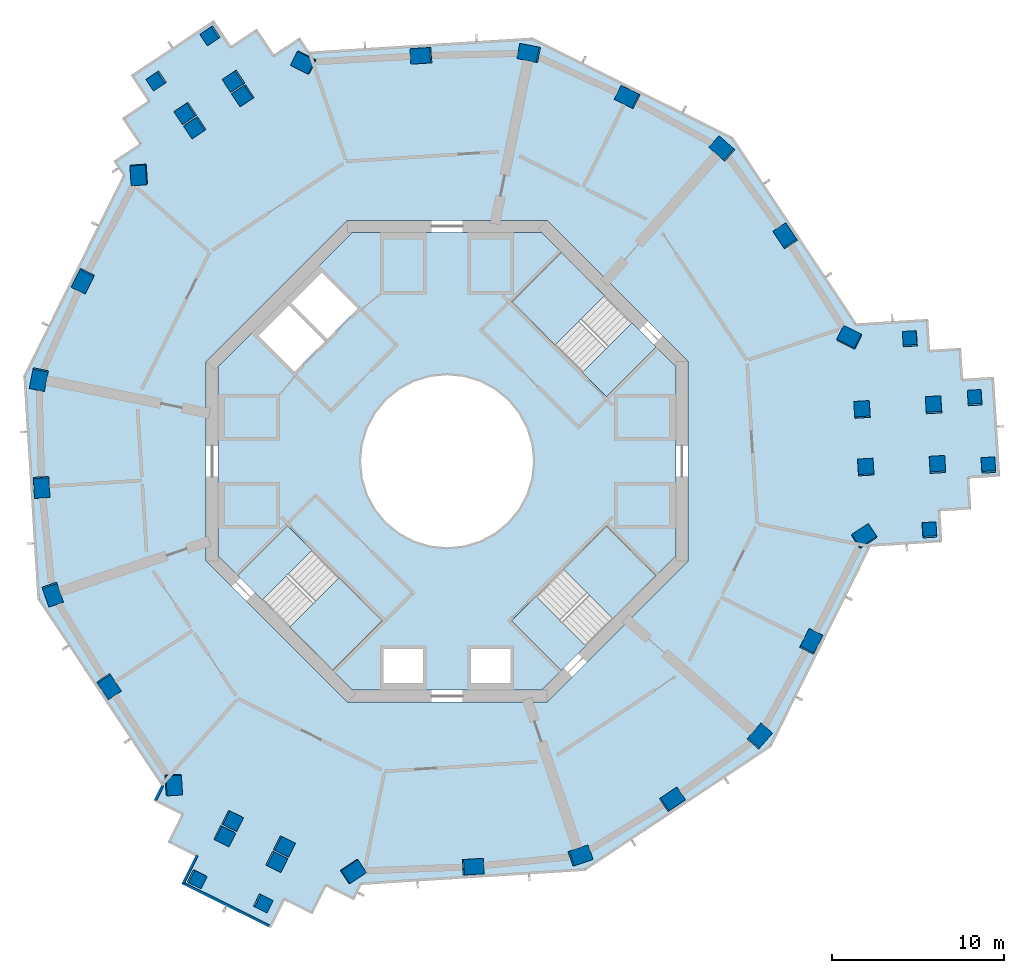
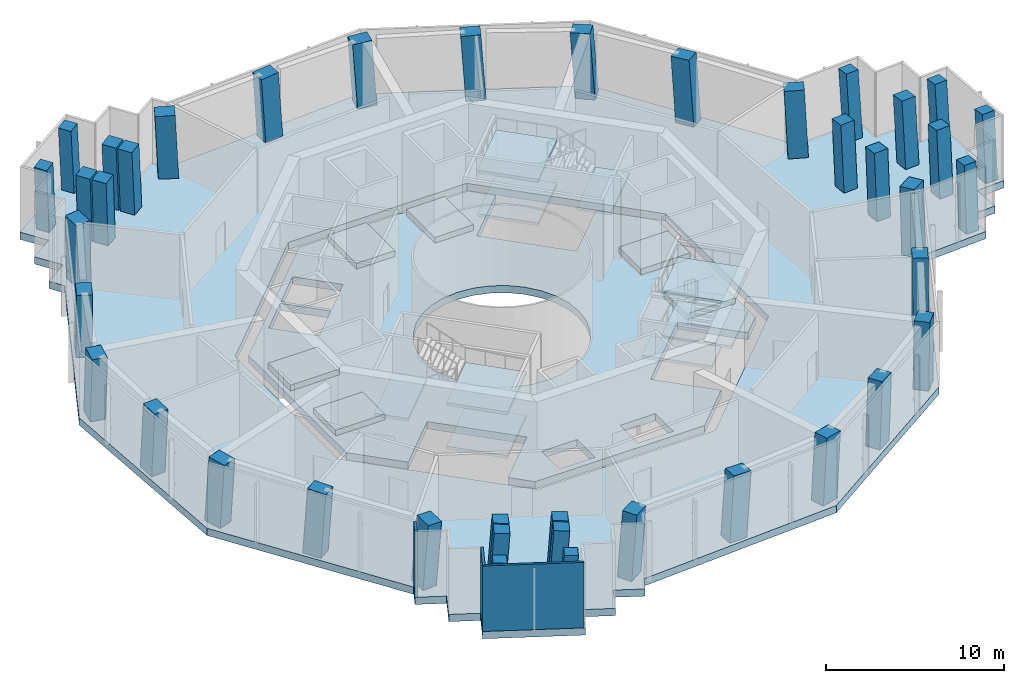
# One storey, part 1 of 16: 41 columns, 17 slabs, 3 walls, 3 elements without a shape of their own.
"""IFC4 building model written with IfcOpenShell, lengths in metres."""

from ifc_helpers import new_model, si_unit, direction, frame, frame_2d, origin, origin_2d, place, context, subcontext, project, spatial, polyline, rectangle, outline, extrude, material, layer, layer_set, material_profile, profile_set, type_object, element, aggregate, save


model = new_model("IFC4")

# Units and contexts
model_context = context("Model", 3, precision=1e-05, world=origin(), true_north=direction((0.0, 1.0)))
body_context = subcontext(model_context, "Body", "Model", "MODEL_VIEW")
ifc_project = project(units=[si_unit("LENGTHUNIT", "METRE"), si_unit("AREAUNIT", "SQUARE_METRE"), si_unit("VOLUMEUNIT", "CUBIC_METRE"), si_unit("PLANEANGLEUNIT", "RADIAN"), si_unit("MASSUNIT", "GRAM", prefix="KILO")], contexts=[model_context])

# Site, building, storey
site_placement = place(None, origin())
site = spatial("IfcSite", under=ifc_project, at=site_placement, CompositionType="ELEMENT")
building_placement = place(site_placement, origin())
building = spatial("IfcBuilding", under=site, at=building_placement, Name="Verdalira Terraces Hotel", CompositionType="ELEMENT")
storey_placement = place(building_placement, frame((0.0, 0.0, 169.0)))
storey = spatial("IfcBuildingStorey", under=building, at=storey_placement, Name="L41", CompositionType="ELEMENT", Elevation=169.0)

# Columns
ifc_material_1 = material(Name="Concrete C60", Category="concrete")
ifc_material_profile_1 = material_profile(ifc_material_1, rectangle(XDim=1.149902, YDim=0.899902, at=origin_2d()), Name="RC 1150X900")
ifc_profile_set_1 = profile_set([ifc_material_profile_1], Name="Concrete C60")
column_type_1 = type_object("IfcColumnType", Name="Column RC 1150X900 C60", PredefinedType="COLUMN", material=ifc_profile_set_1)
column_1_placement = place(storey_placement, frame((-17.893311, 16.667725, 0.0), z_axis=(-0.046008343, -0.050230285, 0.997677378), x_axis=(-0.065051688, 0.99676572, 0.047184497)))
element("IfcColumn", 1, at=column_1_placement, inside=storey, type_object=column_type_1, Name="Column C01", PredefinedType="COLUMN", context=body_context, shape_type="SweptSolid", body=[
    extrude(rectangle(XDim=1.149902, YDim=0.899902, at=origin_2d()), origin(), (0.0, 0.0, 1.0), 4.510498),
])
column_2_placement = place(storey_placement, frame((-21.14624, 10.49707, 0.0), z_axis=(-0.028746192, -0.059170598, 0.997833902), x_axis=(-0.443569154, -0.893822805, -0.065781442)))
element("IfcColumn", 2, at=column_2_placement, inside=storey, type_object=column_type_1, Name="Column C02", PredefinedType="COLUMN", context=body_context, shape_type="SweptSolid", body=[
    extrude(rectangle(XDim=1.149902, YDim=0.899902, at=origin_2d()), origin(), (0.0, 0.0, 1.0), 4.509766),
])
column_3_placement = place(storey_placement, frame((-23.715332, 4.781982, 0.0), z_axis=(-0.012774685, -0.066201014, 0.997724528), x_axis=(0.197279464, 0.978026261, 0.067419926)))
element("IfcColumn", 3, at=column_3_placement, inside=storey, type_object=column_type_1, Name="Column C03", PredefinedType="COLUMN", context=body_context, shape_type="SweptSolid", body=[
    extrude(rectangle(XDim=1.149902, YDim=0.899902, at=origin_2d()), origin(), (0.0, 0.0, 1.0), 4.510254),
])
column_4_placement = place(storey_placement, frame((-23.561768, -1.482422, 0.0), z_axis=(0.004709829, -0.065612785, 0.997834044), x_axis=(0.063066969, -0.995839165, -0.065779291)))
element("IfcColumn", 4, at=column_4_placement, inside=storey, type_object=column_type_1, Name="Column C04", PredefinedType="COLUMN", context=body_context, shape_type="SweptSolid", body=[
    extrude(rectangle(XDim=1.149902, YDim=0.899902, at=origin_2d()), origin(), (0.0, 0.0, 1.0), 4.509766),
])
column_5_placement = place(storey_placement, frame((-22.929199, -7.716553, 0.0), z_axis=(0.022085036, -0.063710999, 0.99772399), x_axis=(-0.318833594, 0.945409234, 0.067427885)))
element("IfcColumn", 5, at=column_5_placement, inside=storey, type_object=column_type_1, Name="Column C05", PredefinedType="COLUMN", context=body_context, shape_type="SweptSolid", body=[
    extrude(rectangle(XDim=1.149902, YDim=0.899902, at=origin_2d()), origin(), (0.0, 0.0, 1.0), 4.510254),
])
column_6_placement = place(storey_placement, frame((-19.663818, -13.064697, 0.0), z_axis=(0.036866629, -0.054460835, 0.997835091), x_axis=(0.552389916, -0.830987698, -0.065763409)))
element("IfcColumn", 6, at=column_6_placement, inside=storey, type_object=column_type_1, Name="Column C06", PredefinedType="COLUMN", context=body_context, shape_type="SweptSolid", body=[
    extrude(rectangle(XDim=1.149902, YDim=0.899902, at=origin_2d()), origin(), (0.0, 0.0, 1.0), 4.509766),
])
column_7_placement = place(storey_placement, frame((-15.916748, -18.794922, 0.0), z_axis=(0.052718394, -0.043895911, 0.997644185), x_axis=(-0.060335894, 0.997068223, 0.047058892)))
element("IfcColumn", 7, at=column_7_placement, inside=storey, type_object=column_type_1, Name="Column C07", PredefinedType="COLUMN", context=body_context, shape_type="SweptSolid", body=[
    extrude(rectangle(XDim=1.149902, YDim=0.899902, at=origin_2d()), origin(), (0.0, 0.0, 1.0), 4.510742),
])
column_8_placement = place(storey_placement, frame((-5.488037, -23.829834, 0.0), z_axis=(0.066522525, -0.014776769, 0.997675499), x_axis=(-0.831043752, -0.554200421, 0.047203562)))
element("IfcColumn", 8, at=column_8_placement, inside=storey, type_object=column_type_1, Name="Column C10", PredefinedType="COLUMN", context=body_context, shape_type="SweptSolid", body=[
    extrude(rectangle(XDim=1.149902, YDim=0.899902, at=origin_2d()), origin(), (0.0, 0.0, 1.0), 4.510498),
])
column_9_placement = place(storey_placement, frame((1.482422, -23.561768, 0.0), z_axis=(0.065612785, 0.004709829, 0.997834044), x_axis=(0.995839165, 0.063066969, -0.065779291)))
element("IfcColumn", 9, at=column_9_placement, inside=storey, type_object=column_type_1, Name="Column C11", PredefinedType="COLUMN", context=body_context, shape_type="SweptSolid", body=[
    extrude(rectangle(XDim=1.149902, YDim=0.899902, at=origin_2d()), origin(), (0.0, 0.0, 1.0), 4.509766),
])
column_10_placement = place(storey_placement, frame((7.716553, -22.929199, 0.0), z_axis=(0.063710999, 0.022085036, 0.99772399), x_axis=(-0.945409234, -0.318833594, 0.067427885)))
element("IfcColumn", 10, at=column_10_placement, inside=storey, type_object=column_type_1, Name="Column C12", PredefinedType="COLUMN", context=body_context, shape_type="SweptSolid", body=[
    extrude(rectangle(XDim=1.149902, YDim=0.899902, at=origin_2d()), origin(), (0.0, 0.0, 1.0), 4.510254),
])
column_11_placement = place(storey_placement, frame((13.064697, -19.663818, 0.0), z_axis=(0.054460835, 0.036866629, 0.997835091), x_axis=(0.830987698, 0.552389916, -0.065763409)))
element("IfcColumn", 11, at=column_11_placement, inside=storey, type_object=column_type_1, Name="Column C13", PredefinedType="COLUMN", context=body_context, shape_type="SweptSolid", body=[
    extrude(rectangle(XDim=1.149902, YDim=0.899902, at=origin_2d()), origin(), (0.0, 0.0, 1.0), 4.509766),
])
column_12_placement = place(storey_placement, frame((18.147217, -15.998779, 0.0), z_axis=(0.044116199, 0.050882487, 0.99772979), x_axis=(-0.659917477, -0.748314089, 0.067342013)))
element("IfcColumn", 12, at=column_12_placement, inside=storey, type_object=column_type_1, Name="Column C14", PredefinedType="COLUMN", context=body_context, shape_type="SweptSolid", body=[
    extrude(rectangle(XDim=1.149902, YDim=0.899902, at=origin_2d()), origin(), (0.0, 0.0, 1.0), 4.510254),
])
column_13_placement = place(storey_placement, frame((21.14624, -10.49707, 0.0), z_axis=(0.028746192, 0.059170598, 0.997833902), x_axis=(0.443569154, 0.893822805, -0.065781442)))
element("IfcColumn", 13, at=column_13_placement, inside=storey, type_object=column_type_1, Name="Column C15", PredefinedType="COLUMN", context=body_context, shape_type="SweptSolid", body=[
    extrude(rectangle(XDim=1.149902, YDim=0.899902, at=origin_2d()), origin(), (0.0, 0.0, 1.0), 4.509766),
])
column_14_placement = place(storey_placement, frame((24.235107, -4.386963, 0.0), z_axis=(0.011691096, 0.067656803, 0.997640153), x_axis=(-0.833524383, -0.550471415, 0.047099096)))
element("IfcColumn", 14, at=column_14_placement, inside=storey, type_object=column_type_1, Name="Column C16", PredefinedType="COLUMN", context=body_context, shape_type="SweptSolid", body=[
    extrude(rectangle(XDim=1.149902, YDim=0.899902, at=origin_2d()), origin(), (0.0, 0.0, 1.0), 4.510742),
])
column_15_placement = place(storey_placement, frame((23.381348, 7.162354, 0.0), z_axis=(-0.020514309, 0.064952958, 0.997677441), x_axis=(0.895873129, -0.441797488, 0.04718386)))
element("IfcColumn", 15, at=column_15_placement, inside=storey, type_object=column_type_1, Name="Column C21", PredefinedType="COLUMN", context=body_context, shape_type="SweptSolid", body=[
    extrude(rectangle(XDim=1.149902, YDim=0.899902, at=origin_2d()), origin(), (0.0, 0.0, 1.0), 4.510498),
])
column_16_placement = place(storey_placement, frame((19.663818, 13.064697, 0.0), z_axis=(-0.036866629, 0.054460835, 0.997835091), x_axis=(-0.552389916, 0.830987698, -0.065763409)))
element("IfcColumn", 16, at=column_16_placement, inside=storey, type_object=column_type_1, Name="Column C22", PredefinedType="COLUMN", context=body_context, shape_type="SweptSolid", body=[
    extrude(rectangle(XDim=1.149902, YDim=0.899902, at=origin_2d()), origin(), (0.0, 0.0, 1.0), 4.509766),
])
column_17_placement = place(storey_placement, frame((15.998779, 18.147217, 0.0), z_axis=(-0.050882487, 0.044116199, 0.99772979), x_axis=(0.748314089, -0.659917477, 0.067342013)))
element("IfcColumn", 17, at=column_17_placement, inside=storey, type_object=column_type_1, Name="Column C23", PredefinedType="COLUMN", context=body_context, shape_type="SweptSolid", body=[
    extrude(rectangle(XDim=1.149902, YDim=0.899902, at=origin_2d()), origin(), (0.0, 0.0, 1.0), 4.510254),
])
column_18_placement = place(storey_placement, frame((10.49707, 21.14624, 0.0), z_axis=(-0.059170598, 0.028746192, 0.997833902), x_axis=(-0.893822805, 0.443569154, -0.065781442)))
element("IfcColumn", 18, at=column_18_placement, inside=storey, type_object=column_type_1, Name="Column C24", PredefinedType="COLUMN", context=body_context, shape_type="SweptSolid", body=[
    extrude(rectangle(XDim=1.149902, YDim=0.899902, at=origin_2d()), origin(), (0.0, 0.0, 1.0), 4.509766),
])
column_19_placement = place(storey_placement, frame((4.781982, 23.715332, 0.0), z_axis=(-0.066201014, 0.012774685, 0.997724528), x_axis=(0.978026261, -0.197279464, 0.067419926)))
element("IfcColumn", 19, at=column_19_placement, inside=storey, type_object=column_type_1, Name="Column C25", PredefinedType="COLUMN", context=body_context, shape_type="SweptSolid", body=[
    extrude(rectangle(XDim=1.149902, YDim=0.899902, at=origin_2d()), origin(), (0.0, 0.0, 1.0), 4.510254),
])
column_20_placement = place(storey_placement, frame((-1.482422, 23.561768, 0.0), z_axis=(-0.065612785, -0.004709829, 0.997834044), x_axis=(-0.995839165, -0.063066969, -0.065779291)))
element("IfcColumn", 20, at=column_20_placement, inside=storey, type_object=column_type_1, Name="Column C26", PredefinedType="COLUMN", context=body_context, shape_type="SweptSolid", body=[
    extrude(rectangle(XDim=1.149902, YDim=0.899902, at=origin_2d()), origin(), (0.0, 0.0, 1.0), 4.509766),
])
column_21_placement = place(storey_placement, frame((-8.318359, 23.181885, 0.0), z_axis=(-0.064409308, -0.023761081, 0.997640643), x_axis=(0.893899773, -0.445786193, 0.047094216)))
element("IfcColumn", 21, at=column_21_placement, inside=storey, type_object=column_type_1, Name="Column C27", PredefinedType="COLUMN", context=body_context, shape_type="SweptSolid", body=[
    extrude(rectangle(XDim=1.149902, YDim=0.899902, at=origin_2d()), origin(), (0.0, 0.0, 1.0), 4.510742),
])
ifc_material_2 = material(Name="Concrete C60", Category="concrete")
ifc_material_profile_2 = material_profile(ifc_material_2, rectangle(XDim=0.800049, YDim=0.800049, at=origin_2d()), Name="RC 800X800")
ifc_profile_set_2 = profile_set([ifc_material_profile_2], Name="Concrete C60")
column_type_2 = type_object("IfcColumnType", Name="Column RC 800X800 C60", PredefinedType="COLUMN", material=ifc_profile_set_2)
column_22_placement = place(storey_placement, frame((-14.557861, -24.266113, 0.0), z_axis=(0.06793038, -0.039968592, 0.996889149), x_axis=(0.893204778, -0.442724347, -0.07861537)))
element("IfcColumn", 22, at=column_22_placement, inside=storey, type_object=column_type_2, Name="Column C08", PredefinedType="COLUMN", context=body_context, shape_type="SweptSolid", body=[
    extrude(rectangle(XDim=0.800049, YDim=0.800049, at=origin_2d()), origin(), (0.0, 0.0, 1.0), 4.51416),
])
column_23_placement = place(storey_placement, frame((-10.725586, -25.677246, 0.0), z_axis=(0.071723936, -0.029262933, 0.996995164), x_axis=(0.892803893, -0.443771439, -0.077253598)))
element("IfcColumn", 23, at=column_23_placement, inside=storey, type_object=column_type_2, Name="Column C09", PredefinedType="COLUMN", context=body_context, shape_type="SweptSolid", body=[
    extrude(rectangle(XDim=0.800049, YDim=0.800049, at=origin_2d()), origin(), (0.0, 0.0, 1.0), 4.513672),
])
column_24_placement = place(storey_placement, frame((28.023682, -4.03833, 0.0), z_axis=(0.010546524, 0.07809836, 0.996889872), x_axis=(0.997950623, 0.062102221, -0.015422959)))
element("IfcColumn", 24, at=column_24_placement, inside=storey, type_object=column_type_2, Name="Column C17", PredefinedType="COLUMN", context=body_context, shape_type="SweptSolid", body=[
    extrude(rectangle(XDim=0.800049, YDim=0.800049, at=origin_2d()), origin(), (0.0, 0.0, 1.0), 4.51416),
])
column_25_placement = place(storey_placement, frame((31.454102, -0.275391, 0.0), z_axis=(5.4045e-05, 0.087499481, 0.996164564), x_axis=(-0.062800032, 0.994198563, -0.087323387)))
element("IfcColumn", 25, at=column_25_placement, inside=storey, type_object=column_type_2, Name="Column C18", PredefinedType="COLUMN", context=body_context, shape_type="SweptSolid", body=[
    extrude(rectangle(XDim=0.800049, YDim=0.800049, at=origin_2d()), origin(), (0.0, 0.0, 1.0), 4.517334),
])
column_26_placement = place(storey_placement, frame((30.666504, 3.642822, 0.0), z_axis=(-0.010864662, 0.085187596, 0.996305692), x_axis=(-0.062332021, 0.994369112, -0.085701739)))
element("IfcColumn", 26, at=column_26_placement, inside=storey, type_object=column_type_2, Name="Column C19", PredefinedType="COLUMN", context=body_context, shape_type="SweptSolid", body=[
    extrude(rectangle(XDim=0.800049, YDim=0.800049, at=origin_2d()), origin(), (0.0, 0.0, 1.0), 4.516602),
])
column_27_placement = place(storey_placement, frame((26.903809, 7.073242, 0.0), z_axis=(-0.020337999, 0.074752964, 0.996994664), x_axis=(-0.997820294, -0.06413247, -0.015546298)))
element("IfcColumn", 27, at=column_27_placement, inside=storey, type_object=column_type_2, Name="Column C20", PredefinedType="COLUMN", context=body_context, shape_type="SweptSolid", body=[
    extrude(rectangle(XDim=0.800049, YDim=0.800049, at=origin_2d()), origin(), (0.0, 0.0, 1.0), 4.513672),
])
column_28_placement = place(storey_placement, frame((-13.736084, 24.740479, 0.0), z_axis=(-0.068579428, -0.038832831, 0.996889599), x_axis=(-0.830089798, -0.552061087, -0.078609686)))
element("IfcColumn", 28, at=column_28_placement, inside=storey, type_object=column_type_2, Name="Column C28", PredefinedType="COLUMN", context=body_context, shape_type="SweptSolid", body=[
    extrude(rectangle(XDim=0.800049, YDim=0.800049, at=origin_2d()), origin(), (0.0, 0.0, 1.0), 4.51416),
])
column_29_placement = place(storey_placement, frame((-16.874268, 22.127197, 0.0), z_axis=(-0.061230268, -0.047491321, 0.996993194), x_axis=(-0.830785312, -0.551202086, -0.077278885)))
element("IfcColumn", 29, at=column_29_placement, inside=storey, type_object=column_type_2, Name="Column C29", PredefinedType="COLUMN", context=body_context, shape_type="SweptSolid", body=[
    extrude(rectangle(XDim=0.800049, YDim=0.800049, at=origin_2d()), origin(), (0.0, 0.0, 1.0), 4.513672),
])
ifc_material_3 = material(Name="Concrete C60", Category="concrete")
ifc_material_profile_3 = material_profile(ifc_material_3, rectangle(XDim=0.899902, YDim=0.899902, at=origin_2d()), Name="RC 900X900")
ifc_profile_set_3 = profile_set([ifc_material_profile_3], Name="Concrete C60")
column_type_3 = type_object("IfcColumnType", Name="Column RC 900X900 C60", PredefinedType="COLUMN", material=ifc_profile_set_3)
for number, where, z_axis, x_axis, name in (
    (30, (-11.836426, 21.260254, 0.0), (-0.058946174, -0.033451548, 0.997700527), (-0.552946747, 0.833203152, -0.004733044), "Column C30"),
    (31, (-14.63208, 19.402832, 0.0), (-0.053750027, -0.041192116, 0.997704437), (-0.553129571, 0.83308256, 0.004596255), "Column C31"),
):
    element("IfcColumn", number, at=place(storey_placement, frame(where, z_axis=z_axis, x_axis=x_axis)), inside=storey, type_object=column_type_3, Name=name, PredefinedType="COLUMN", context=body_context, shape_type="SweptSolid", body=[
        extrude(rectangle(XDim=0.899902, YDim=0.899902, at=origin_2d()), origin(), (0.0, 0.0, 1.0), 4.510254),
    ])
for number, where, z_axis, x_axis, name in (
    (32, (-12.375977, 22.102539, 0.0), (-0.061261846, -0.035014501, 0.997507379), (-0.553461291, 0.832861323, -0.004755691), "Column C32"),
    (33, (-15.185547, 20.23584, 0.0), (-0.056012634, -0.042807723, 0.997511947), (-0.553996546, 0.832506155, 0.004618378), "Column C33"),
):
    element("IfcColumn", number, at=place(storey_placement, frame(where, z_axis=z_axis, x_axis=x_axis)), inside=storey, type_object=column_type_3, Name=name, PredefinedType="COLUMN", context=body_context, shape_type="SweptSolid", body=[
        extrude(rectangle(XDim=0.899902, YDim=0.899902, at=origin_2d()), origin(), (0.0, 0.0, 1.0), 4.51123),
    ])
for number, where, z_axis, x_axis, name in (
    (34, (-12.493652, -20.880859, 0.0), (0.058458972, -0.034317581, 0.997699781), (-0.444931785, -0.895551952, -0.004733811), "Column C34"),
    (35, (-9.487305, -22.373291, 0.0), (0.062573075, -0.025873642, 0.997704949), (-0.443813257, -0.896107511, 0.004595743), "Column C35"),
):
    element("IfcColumn", number, at=place(storey_placement, frame(where, z_axis=z_axis, x_axis=x_axis)), inside=storey, type_object=column_type_3, Name=name, PredefinedType="COLUMN", context=body_context, shape_type="SweptSolid", body=[
        extrude(rectangle(XDim=0.899902, YDim=0.899902, at=origin_2d()), origin(), (0.0, 0.0, 1.0), 4.510254),
    ])
for number, where, z_axis, x_axis, name in (
    (36, (-12.953369, -21.769043, 0.0), (0.060937182, -0.035555709, 0.997508121), (-0.444753104, -0.89564059, -0.004754984), "Column C36"),
    (37, (-9.931885, -23.268799, 0.0), (0.06505043, -0.027167484, 0.99751209), (-0.444851086, -0.895592644, 0.004618245), "Column C37"),
):
    element("IfcColumn", number, at=place(storey_placement, frame(where, z_axis=z_axis, x_axis=x_axis)), inside=storey, type_object=column_type_3, Name=name, PredefinedType="COLUMN", context=body_context, shape_type="SweptSolid", body=[
        extrude(rectangle(XDim=0.899902, YDim=0.899902, at=origin_2d()), origin(), (0.0, 0.0, 1.0), 4.51123),
    ])
for number, where, z_axis, x_axis, name in (
    (38, (24.330078, -0.379395, 0.0), (0.000541287, 0.067769179, 0.99770088), (0.998083344, 0.061702837, -0.004732681), "Column C38"),
    (39, (24.119385, 2.970215, 0.0), (-0.008822996, 0.067173856, 0.997702274), (0.998016357, 0.062786979, 0.004598417), "Column C39"),
):
    element("IfcColumn", number, at=place(storey_placement, frame(where, z_axis=z_axis, x_axis=x_axis)), inside=storey, type_object=column_type_3, Name=name, PredefinedType="COLUMN", context=body_context, shape_type="SweptSolid", body=[
        extrude(rectangle(XDim=0.899902, YDim=0.899902, at=origin_2d()), origin(), (0.0, 0.0, 1.0), 4.510254),
    ])
for number, where, z_axis, x_axis, name in (
    (40, (28.495605, -0.233398, 0.0), (0.0, 0.07928521, 0.996851973), (0.998050656, 0.062212577, -0.004948114), "Column C40"),
    (41, (28.277588, 3.231934, 0.0), (-0.009680842, 0.078636563, 0.996856345), (0.997972448, 0.063474793, 0.004684501), "Column C41"),
):
    element("IfcColumn", number, at=place(storey_placement, frame(where, z_axis=z_axis, x_axis=x_axis)), inside=storey, type_object=column_type_3, Name=name, PredefinedType="COLUMN", context=body_context, shape_type="SweptSolid", body=[
        extrude(rectangle(XDim=0.899902, YDim=0.899902, at=origin_2d()), origin(), (0.0, 0.0, 1.0), 4.51416),
    ])

# Slab
ifc_material_4 = material(Name="Concrete C40", Category="concrete")
ifc_layer_1 = layer(ifc_material_4, 0.5)
ifc_layer_set_1 = layer_set([ifc_layer_1], Name="Core floor slab 500 mm")
slab_type_1 = type_object("IfcSlabType", Name="Core floor slab 500 mm", PredefinedType="FLOOR", material=ifc_layer_set_1)
slab_1_placement = place(storey_placement, frame((0.0, 0.0, -0.5)))
element("IfcSlab", 42, at=slab_1_placement, inside=storey, type_object=slab_type_1, Name="L41 core floor", PredefinedType="FLOOR", context=body_context, shape_type="SweptSolid", body=[
    extrude(outline(polyline([(-5.509033, 13.300049), (5.509033, 13.300049), (6.632812, 12.176514), (3.719482, 9.263184), (7.834473, 5.148193), (10.747803, 8.061279), (13.300049, 5.509033), (13.300049, -5.509033), (12.176514, -6.632812), (9.263184, -3.719482), (5.148193, -7.834473), (8.061279, -10.747803), (5.509033, -13.300049), (-5.509033, -13.300049), (-6.632812, -12.176514), (-3.719482, -9.263184), (-7.834473, -5.148193), (-10.747803, -8.061279), (-13.300049, -5.509033), (-13.300049, 5.509033), (-5.509033, 13.300049)]), holes=[polyline([(12.899902, -3.699951), (12.899902, -1.399902), (10.899902, -1.399902), (10.899902, -3.699951), (12.899902, -3.699951)]), polyline([(12.899902, 1.399902), (12.899902, 3.699951), (10.899902, 3.699951), (10.899902, 1.399902), (12.899902, 1.399902)]), polyline([(1.399902, 10.899902), (3.699951, 10.899902), (3.699951, 12.899902), (1.399902, 12.899902), (1.399902, 10.899902)]), polyline([(-3.699951, 10.899902), (-1.399902, 10.899902), (-1.399902, 12.899902), (-3.699951, 12.899902), (-3.699951, 10.899902)]), polyline([(-12.899902, 3.699951), (-12.899902, 1.399902), (-10.899902, 1.399902), (-10.899902, 3.699951), (-12.899902, 3.699951)]), polyline([(-12.899902, -1.399902), (-12.899902, -3.699951), (-10.899902, -3.699951), (-10.899902, -1.399902), (-12.899902, -1.399902)]), polyline([(-1.399902, -10.899902), (-3.699951, -10.899902), (-3.699951, -12.899902), (-1.399902, -12.899902), (-1.399902, -10.899902)]), polyline([(3.699951, -10.899902), (1.399902, -10.899902), (1.399902, -12.899902), (3.699951, -12.899902), (3.699951, -10.899902)]), polyline([(-9.051025, 9.192383), (-6.965088, 7.106445), (-5.197266, 8.874268), (-7.283203, 10.960205), (-9.051025, 9.192383)]), polyline([(-9.192383, 9.051025), (-10.960205, 7.283203), (-8.874268, 5.197266), (-7.106445, 6.965088), (-9.192383, 9.051025)]), polyline([(3.5354, 3.5354), (2.777832, 4.157227), (1.91333, 4.619385), (0.975586, 4.903809), (0.0, 5.0), (-0.975586, 4.903809), (-1.91333, 4.619385), (-2.777832, 4.157227), (-3.5354, 3.5354), (-4.157227, 2.777832), (-4.619385, 1.91333), (-4.903809, 0.975586), (-5.0, 0.0), (-4.903809, -0.975586), (-4.619385, -1.91333), (-4.157227, -2.777832), (-3.5354, -3.5354), (-2.777832, -4.157227), (-1.91333, -4.619385), (-0.975586, -4.903809), (0.0, -5.0), (0.975586, -4.903809), (1.91333, -4.619385), (2.777832, -4.157227), (3.5354, -3.5354), (4.157227, -2.777832), (4.619385, -1.91333), (4.903809, -0.975586), (5.0, 0.0), (4.903809, 0.975586), (4.619385, 1.91333), (4.157227, 2.777832), (3.5354, 3.5354)])]), origin(), (0.0, 0.0, 1.0), 0.5),
])

# Stair, slabs
ifc_material_5 = material(Name="Concrete C40", Category="concrete")
stair_type = type_object("IfcStairType", Name="Core stair 36 risers 2000 mm wide", PredefinedType="HALF_TURN_STAIR", material=ifc_material_5)
stair_1_placement = place(storey_placement, origin())
stair_1 = element("IfcStair", 43, at=stair_1_placement, inside=storey, type_object=stair_type, Name="L41 Exit stair ST1", PredefinedType="HALF_TURN_STAIR")
ifc_material_6 = material(Name="Concrete C40", Category="concrete")
ifc_layer_2 = layer(ifc_material_6, 0.199951171875)
ifc_layer_set_2 = layer_set([ifc_layer_2], Name="Core stair landing 200 mm")
slab_type_2 = type_object("IfcSlabType", Name="Core stair landing 200 mm", PredefinedType="LANDING", material=ifc_layer_set_2)
slab_2_placement = place(storey_placement, frame((0.0, 0.0, 1.300049)))
slab_2 = element("IfcSlab", 44, at=slab_2_placement, type_object=slab_type_2, Name="ST1 landing 1", PredefinedType="LANDING", context=body_context, shape_type="SweptSolid", body=[
    extrude(outline(polyline([(9.164551, 9.644531), (6.646729, 12.162354), (3.747559, 9.263184), (6.265381, 6.745361), (9.164551, 9.644531)])), origin(), (0.0, 0.0, 1.0), 0.199951),
])
slab_3_placement = place(storey_placement, frame((0.0, 0.0, 2.800049)))
slab_3 = element("IfcSlab", 45, at=slab_3_placement, type_object=slab_type_2, Name="ST1 landing 2", PredefinedType="LANDING", context=body_context, shape_type="SweptSolid", body=[
    extrude(outline(polyline([(12.162354, 6.646729), (10.747559, 8.061279), (7.848633, 5.162354), (9.263184, 3.747559), (12.162354, 6.646729)])), origin(), (0.0, 0.0, 1.0), 0.199951),
])
slab_4_placement = place(storey_placement, frame((0.0, 0.0, 4.300049)))
slab_4 = element("IfcSlab", 46, at=slab_4_placement, type_object=slab_type_2, Name="ST1 landing 3", PredefinedType="LANDING", context=body_context, shape_type="SweptSolid", body=[
    extrude(outline(polyline([(9.164551, 9.644531), (6.646729, 12.162354), (3.747559, 9.263184), (6.265381, 6.745361), (9.164551, 9.644531)])), origin(), (0.0, 0.0, 1.0), 0.199951),
])
aggregate(stair_1, [slab_2, slab_3, slab_4])

stair_2_placement = place(storey_placement, origin())
stair_2 = element("IfcStair", 47, at=stair_2_placement, inside=storey, type_object=stair_type, Name="L41 Exit stair ST2", PredefinedType="HALF_TURN_STAIR")
slab_5_placement = place(storey_placement, frame((0.0, 0.0, 1.300049)))
slab_5 = element("IfcSlab", 48, at=slab_5_placement, type_object=slab_type_2, Name="ST2 landing 1", PredefinedType="LANDING", context=body_context, shape_type="SweptSolid", body=[
    extrude(outline(polyline([(-9.164551, -9.644531), (-6.646729, -12.162354), (-3.747559, -9.263184), (-6.265381, -6.745361), (-9.164551, -9.644531)])), origin(), (0.0, 0.0, 1.0), 0.199951),
])
slab_6_placement = place(storey_placement, frame((0.0, 0.0, 2.800049)))
slab_6 = element("IfcSlab", 49, at=slab_6_placement, type_object=slab_type_2, Name="ST2 landing 2", PredefinedType="LANDING", context=body_context, shape_type="SweptSolid", body=[
    extrude(outline(polyline([(-12.162354, -6.646729), (-10.747559, -8.061279), (-7.848633, -5.162354), (-9.263184, -3.747559), (-12.162354, -6.646729)])), origin(), (0.0, 0.0, 1.0), 0.199951),
])
slab_7_placement = place(storey_placement, frame((0.0, 0.0, 4.300049)))
slab_7 = element("IfcSlab", 50, at=slab_7_placement, type_object=slab_type_2, Name="ST2 landing 3", PredefinedType="LANDING", context=body_context, shape_type="SweptSolid", body=[
    extrude(outline(polyline([(-9.164551, -9.644531), (-6.646729, -12.162354), (-3.747559, -9.263184), (-6.265381, -6.745361), (-9.164551, -9.644531)])), origin(), (0.0, 0.0, 1.0), 0.199951),
])
aggregate(stair_2, [slab_5, slab_6, slab_7])

stair_3_placement = place(storey_placement, origin())
stair_3 = element("IfcStair", 51, at=stair_3_placement, inside=storey, type_object=stair_type, Name="L41 Exit stair ST3", PredefinedType="HALF_TURN_STAIR")
slab_8_placement = place(storey_placement, frame((0.0, 0.0, 1.300049)))
slab_8 = element("IfcSlab", 52, at=slab_8_placement, type_object=slab_type_2, Name="ST3 landing 1", PredefinedType="LANDING", context=body_context, shape_type="SweptSolid", body=[
    extrude(outline(polyline([(9.644531, -9.164551), (12.162354, -6.646729), (9.263184, -3.747559), (6.745361, -6.265381), (9.644531, -9.164551)])), origin(), (0.0, 0.0, 1.0), 0.199951),
])
slab_9_placement = place(storey_placement, frame((0.0, 0.0, 2.800049)))
slab_9 = element("IfcSlab", 53, at=slab_9_placement, type_object=slab_type_2, Name="ST3 landing 2", PredefinedType="LANDING", context=body_context, shape_type="SweptSolid", body=[
    extrude(outline(polyline([(6.646729, -12.162354), (8.061279, -10.747559), (5.162354, -7.848633), (3.747559, -9.263184), (6.646729, -12.162354)])), origin(), (0.0, 0.0, 1.0), 0.199951),
])
slab_10_placement = place(storey_placement, frame((0.0, 0.0, 4.300049)))
slab_10 = element("IfcSlab", 54, at=slab_10_placement, type_object=slab_type_2, Name="ST3 landing 3", PredefinedType="LANDING", context=body_context, shape_type="SweptSolid", body=[
    extrude(outline(polyline([(9.644531, -9.164551), (12.162354, -6.646729), (9.263184, -3.747559), (6.745361, -6.265381), (9.644531, -9.164551)])), origin(), (0.0, 0.0, 1.0), 0.199951),
])
aggregate(stair_3, [slab_8, slab_9, slab_10])

# Slabs
ifc_material_7 = material(Name="Concrete C40", Category="concrete")
ifc_layer_3 = layer(ifc_material_7, 0.39990234375)
ifc_layer_set_3 = layer_set([ifc_layer_3], Name="Lift pit slab 400 mm")
slab_type_3 = type_object("IfcSlabType", Name="Lift pit slab 400 mm", PredefinedType="FLOOR", material=ifc_layer_set_3)
slab_11_placement = place(storey_placement, origin())
element("IfcSlab", 55, at=slab_11_placement, inside=storey, type_object=slab_type_3, Name="Lift pit slab E1", PredefinedType="FLOOR", context=body_context, shape_type="SweptSolid", body=[
    extrude(outline(polyline([(9.800049, -1.300049), (13.0, -1.300049), (13.0, -3.800049), (9.800049, -3.800049), (9.800049, -1.300049)])), origin(), (0.0, 0.0, 1.0), 0.399902),
])
slab_12_placement = place(storey_placement, origin())
element("IfcSlab", 56, at=slab_12_placement, inside=storey, type_object=slab_type_3, Name="Lift pit slab E2", PredefinedType="FLOOR", context=body_context, shape_type="SweptSolid", body=[
    extrude(outline(polyline([(9.800049, 1.300049), (9.800049, 3.800049), (13.0, 3.800049), (13.0, 1.300049), (9.800049, 1.300049)])), origin(), (0.0, 0.0, 1.0), 0.399902),
])
slab_13_placement = place(storey_placement, origin())
element("IfcSlab", 57, at=slab_13_placement, inside=storey, type_object=slab_type_3, Name="Lift pit slab N1", PredefinedType="FLOOR", context=body_context, shape_type="SweptSolid", body=[
    extrude(outline(polyline([(1.300049, 9.800049), (1.300049, 13.0), (3.800049, 13.0), (3.800049, 9.800049), (1.300049, 9.800049)])), origin(), (0.0, 0.0, 1.0), 0.399902),
])
slab_14_placement = place(storey_placement, origin())
element("IfcSlab", 58, at=slab_14_placement, inside=storey, type_object=slab_type_3, Name="Lift pit slab N2", PredefinedType="FLOOR", context=body_context, shape_type="SweptSolid", body=[
    extrude(outline(polyline([(-1.300049, 9.800049), (-3.800049, 9.800049), (-3.800049, 13.0), (-1.300049, 13.0), (-1.300049, 9.800049)])), origin(), (0.0, 0.0, 1.0), 0.399902),
])
slab_15_placement = place(storey_placement, origin())
element("IfcSlab", 59, at=slab_15_placement, inside=storey, type_object=slab_type_3, Name="Lift pit slab W1", PredefinedType="FLOOR", context=body_context, shape_type="SweptSolid", body=[
    extrude(outline(polyline([(-9.800049, 1.300049), (-13.0, 1.300049), (-13.0, 3.800049), (-9.800049, 3.800049), (-9.800049, 1.300049)])), origin(), (0.0, 0.0, 1.0), 0.399902),
])
slab_16_placement = place(storey_placement, origin())
element("IfcSlab", 60, at=slab_16_placement, inside=storey, type_object=slab_type_3, Name="Lift pit slab W2", PredefinedType="FLOOR", context=body_context, shape_type="SweptSolid", body=[
    extrude(outline(polyline([(-9.800049, -1.300049), (-9.800049, -3.800049), (-13.0, -3.800049), (-13.0, -1.300049), (-9.800049, -1.300049)])), origin(), (0.0, 0.0, 1.0), 0.399902),
])
ifc_material_8 = material(Name="Concrete C40", Category="concrete")
ifc_layer_4 = layer(ifc_material_8, 0.5)
ifc_layer_set_4 = layer_set([ifc_layer_4], Name="Plant floor slab 500 C40")
slab_type_4 = type_object("IfcSlabType", Name="Plant floor slab 500 C40", PredefinedType="FLOOR", material=ifc_layer_set_4)
slab_17_placement = place(storey_placement, frame((0.0, 0.0, -0.5)))
element("IfcSlab", 61, at=slab_17_placement, inside=storey, type_object=slab_type_4, Name="Plant floor slab L41", PredefinedType="FLOOR", context=body_context, shape_type="SweptSolid", body=[
    extrude(outline(polyline([(4.964111, 24.618652), (-8.010498, 23.802246), (-8.563721, 24.635254), (-10.062988, 23.63916), (-11.059082, 25.138428), (-12.55835, 24.142334), (-13.554443, 25.641602), (-18.385498, 22.431885), (-17.389404, 20.932617), (-18.888672, 19.936523), (-17.892578, 18.437256), (-19.391602, 17.441162), (-18.838379, 16.608154), (-24.618652, 4.964111), (-23.802246, -8.010498), (-16.608154, -18.838379), (-17.052979, -19.734131), (-15.440674, -20.534424), (-16.240967, -22.146729), (-14.628662, -22.947021), (-15.428955, -24.559326), (-10.233887, -27.138184), (-9.433594, -25.525879), (-7.821289, -26.326172), (-7.020996, -24.714111), (-5.408691, -25.514404), (-4.964111, -24.618652), (8.010498, -23.802246), (18.838379, -16.608154), (24.618652, -4.964111), (28.776855, -4.702393), (28.663818, -2.906006), (30.460205, -2.792969), (30.347168, -0.996582), (32.143555, -0.883301), (31.779297, 4.905029), (29.98291, 4.791992), (29.870117, 6.588623), (28.073486, 6.475586), (27.960449, 8.271973), (23.802246, 8.010498), (16.608154, 18.838379), (4.964111, 24.618652)]), holes=[polyline([(5.799072, 14.0), (14.0, 5.799072), (14.0, -5.799072), (5.799072, -14.0), (-5.799072, -14.0), (-14.0, -5.799072), (-14.0, 5.799072), (-5.799072, 14.0), (5.799072, 14.0)])]), origin(), (0.0, 0.0, 1.0), 0.5),
])

# Walls
ifc_material_9 = material(Name="Terracotta cladding", Category="masonry")
ifc_layer_5 = layer(ifc_material_9, 0.14990234375)
ifc_layer_set_5 = layer_set([ifc_layer_5], Name="Terracotta clad wall 150")
wall_type = type_object("IfcWallType", Name="Terracotta clad wall 150", PredefinedType="SOLIDWALL", material=ifc_layer_set_5)
wall_1_placement = place(storey_placement, frame((-16.535889, -18.861328, 0.0), z_axis=(0.0, 0.0, 1.0), x_axis=(-0.444709377, -0.895674924, 0.0)))
element("IfcWall", 62, at=wall_1_placement, inside=storey, type_object=wall_type, Name="Terracotta cladding wall", PredefinedType="SOLIDWALL", context=body_context, shape_type="SweptSolid", body=[
    extrude(rectangle(XDim=0.936523, YDim=0.149902, at=frame_2d((0.468262, 0.0))), origin(), (0.0, 0.0, 1.0), 4.5),
])
wall_2_placement = place(storey_placement, frame((-14.528076, -22.913086, 0.0), z_axis=(0.0, 0.0, 1.0), x_axis=(-0.444607531, -0.895725484, 0.0)))
element("IfcWall", 63, at=wall_2_placement, inside=storey, type_object=wall_type, Name="Terracotta cladding wall", PredefinedType="SOLIDWALL", context=body_context, shape_type="SweptSolid", body=[
    extrude(rectangle(XDim=1.800049, YDim=0.149902, at=frame_2d((0.899902, 0.0))), origin(), (0.0, 0.0, 1.0), 4.5),
])
wall_3_placement = place(storey_placement, frame((-15.395752, -24.492188, 0.0), z_axis=(0.0, 0.0, 1.0), x_axis=(0.895728277, -0.444601905, 0.0)))
element("IfcWall", 64, at=wall_3_placement, inside=storey, type_object=wall_type, Name="Terracotta cladding wall", PredefinedType="SOLIDWALL", context=body_context, shape_type="SweptSolid", body=[
    extrude(rectangle(XDim=5.725098, YDim=0.149902, at=frame_2d((2.862549, 0.0))), origin(), (0.0, 0.0, 1.0), 4.5),
])

save(model, "model.ifc")
